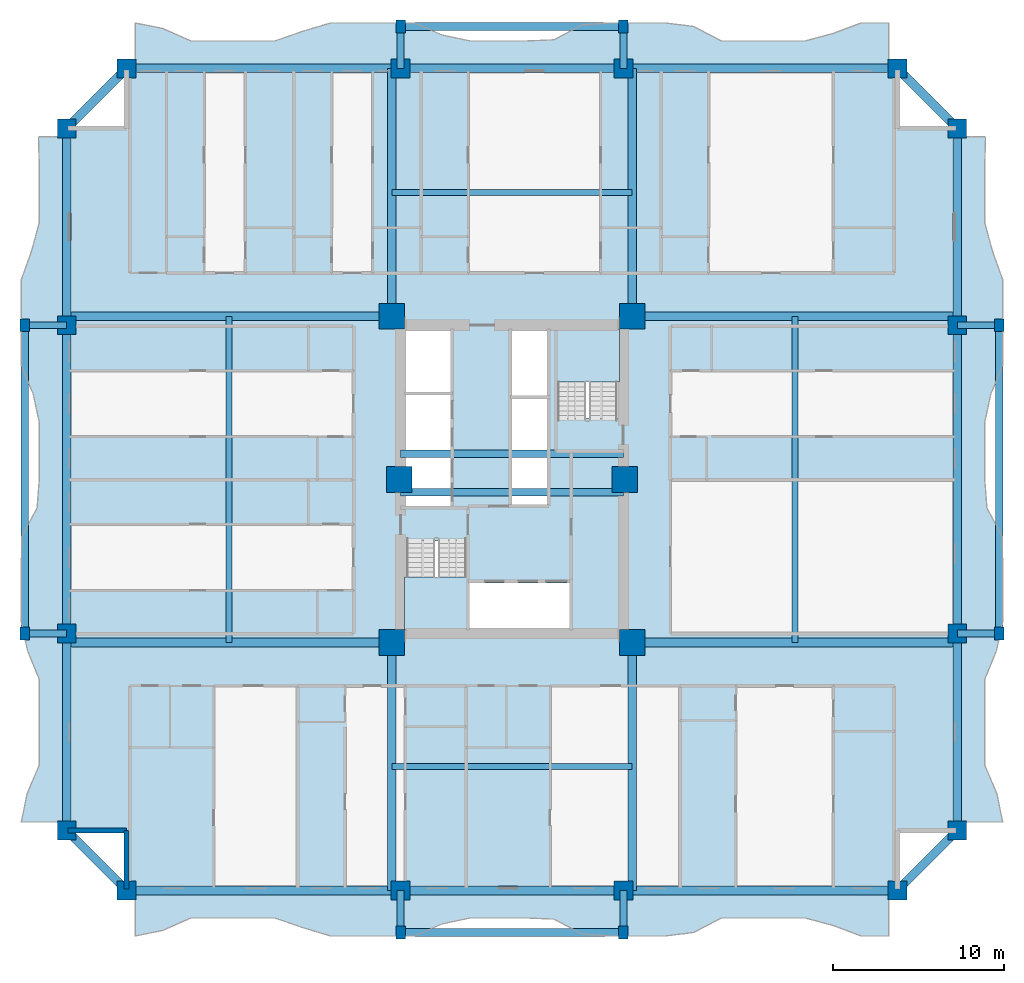
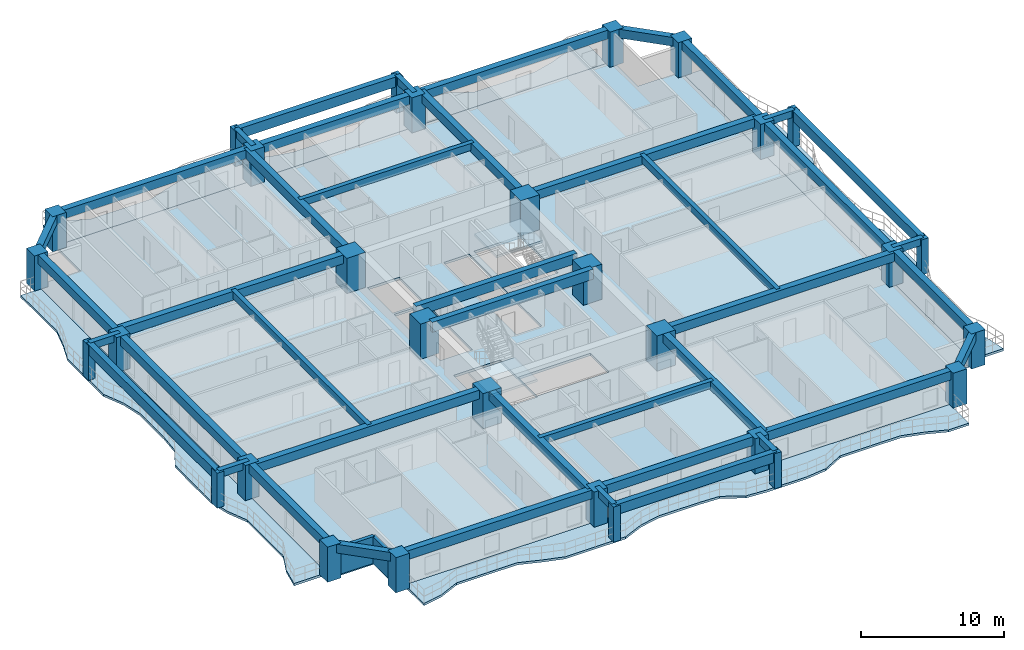
# One storey, part 1 of 15: 42 beams, 30 columns, 7 slabs, 2 walls, 2 elements without a shape of their own.
"""IFC4 building model written with IfcOpenShell, lengths in metres."""

from ifc_helpers import new_model, si_unit, direction, frame, frame_2d, origin, origin_2d, place, context, subcontext, project, spatial, polyline, rectangle, outline, extrude, source, transform, mapped, material, layer, layer_set, material_profile, profile_set, type_object, element, aggregate, save


model = new_model("IFC4")

# Units and contexts
model_context = context("Model", 3, precision=1e-05, world=origin(), true_north=direction((0.0, 1.0)))
body_context = subcontext(model_context, "Body", "Model", "MODEL_VIEW")
ifc_project = project(units=[si_unit("LENGTHUNIT", "METRE"), si_unit("AREAUNIT", "SQUARE_METRE"), si_unit("VOLUMEUNIT", "CUBIC_METRE"), si_unit("PLANEANGLEUNIT", "RADIAN"), si_unit("MASSUNIT", "GRAM", prefix="KILO")], contexts=[model_context])

# Site, building, storey
site_placement = place(None, origin())
site = spatial("IfcSite", under=ifc_project, at=site_placement, CompositionType="ELEMENT")
building_placement = place(site_placement, origin())
building = spatial("IfcBuilding", under=site, at=building_placement, Name="Saelheon Loggia Tower", CompositionType="ELEMENT")
storey_placement = place(building_placement, frame((0.0, 0.0, 49.39990234375)))
storey = spatial("IfcBuildingStorey", under=building, at=storey_placement, Name="L15", CompositionType="ELEMENT", Elevation=49.39990234375)

# Columns
ifc_material_1 = material(Name="Concrete C60/75", Category="concrete")
ifc_material_profile_1 = material_profile(ifc_material_1, rectangle(XDim=1.5, YDim=1.5, at=origin_2d()), Name="RC-1500x1500")
ifc_profile_set_1 = profile_set([ifc_material_profile_1], Name="Concrete C60/75")
column_type_1 = type_object("IfcColumnType", Name="Col_Core_RC1500", PredefinedType="COLUMN", material=ifc_profile_set_1)
shared_shape_1 = source(origin(), body_context, "Body", "SweptSolid", [
    extrude(rectangle(XDim=1.5, YDim=1.5, at=origin_2d()), origin(), (0.0, 0.0, 1.0), 3.0),
])
for number, where, z_axis, x_axis, name in (
    (1, (30.97998046875, 17.47998046875, 0.0), (0.0, 0.0, 1.0), (1.0, 0.0, 0.0), "L15 Core Column CR-SW"),
    (2, (45.02001953125, 17.47998046875, 0.0), (0.0, 0.0, 1.0), (1.0, 0.0, 0.0), "L15 Core Column CR-SE"),
    (3, (30.97998046875, 36.52001953125, 0.0), (0.0, 0.0, 1.0), (1.0, 0.0, 0.0), "L15 Core Column CR-NW"),
    (4, (45.02001953125, 36.52001953125, 0.0), (0.0, 0.0, 1.0), (1.0, 0.0, 0.0), "L15 Core Column CR-NE"),
    (5, (31.419921875, 27.0, 0.0), (0.0, 0.0, 1.0), (1.0, 0.0, 0.0), "L15 Core Column CR-MW"),
    (6, (44.580078125, 27.0, 0.0), (0.0, 0.0, 1.0), (1.0, 0.0, 0.0), "L15 Core Column CR-ME"),
):
    element("IfcColumn", number, at=place(storey_placement, frame(where, z_axis=z_axis, x_axis=x_axis)), inside=storey, type_object=column_type_1, Name=name, PredefinedType="COLUMN", context=body_context, shape_type="MappedRepresentation", body=[
        mapped(shared_shape_1, transform((0.0, 0.0, 0.0), scale=1.0)),
    ])
ifc_material_2 = material(Name="Concrete C50/60", Category="concrete")
ifc_material_profile_2 = material_profile(ifc_material_2, rectangle(XDim=1.10009765625, YDim=1.10009765625, at=origin_2d()), Name="RC-1100x1100")
ifc_profile_set_2 = profile_set([ifc_material_profile_2], Name="Concrete C50/60")
column_type_2 = type_object("IfcColumnType", Name="Col_PerimExt_RC1100", PredefinedType="COLUMN", material=ifc_profile_set_2)
shared_shape_2 = source(origin(), body_context, "Body", "SweptSolid", [
    extrude(rectangle(XDim=1.10009765625, YDim=1.10009765625, at=origin_2d()), origin(), (0.0, 0.0, 1.0), 3.0),
])
for number, where, z_axis, x_axis, name in (
    (7, (15.5, 3.0, 0.0), (0.0, 0.0, 1.0), (1.0, 0.0, 0.0), "L15 Perimeter Column TP-S1"),
    (8, (31.5, 3.0, 0.0), (0.0, 0.0, 1.0), (1.0, 0.0, 0.0), "L15 Perimeter Column TP-SA"),
    (9, (44.5, 3.0, 0.0), (0.0, 0.0, 1.0), (1.0, 0.0, 0.0), "L15 Perimeter Column TP-SB"),
    (10, (60.5, 3.0, 0.0), (0.0, 0.0, 1.0), (1.0, 0.0, 0.0), "L15 Perimeter Column TP-S2"),
    (11, (64.0, 6.5, 0.0), (0.0, 0.0, 1.0), (1.0, 0.0, 0.0), "L15 Perimeter Column TP-E1"),
    (12, (64.0, 18.0, 0.0), (0.0, 0.0, 1.0), (1.0, 0.0, 0.0), "L15 Perimeter Column TP-EA"),
    (13, (64.0, 36.0, 0.0), (0.0, 0.0, 1.0), (1.0, 0.0, 0.0), "L15 Perimeter Column TP-EB"),
    (14, (64.0, 47.5, 0.0), (0.0, 0.0, 1.0), (1.0, 0.0, 0.0), "L15 Perimeter Column TP-E2"),
    (15, (60.5, 51.0, 0.0), (0.0, 0.0, 1.0), (1.0, 0.0, 0.0), "L15 Perimeter Column TP-N2"),
    (16, (44.5, 51.0, 0.0), (0.0, 0.0, 1.0), (1.0, 0.0, 0.0), "L15 Perimeter Column TP-NB"),
    (17, (31.5, 51.0, 0.0), (0.0, 0.0, 1.0), (1.0, 0.0, 0.0), "L15 Perimeter Column TP-NA"),
    (18, (15.5, 51.0, 0.0), (0.0, 0.0, 1.0), (1.0, 0.0, 0.0), "L15 Perimeter Column TP-N1"),
    (19, (12.0, 47.5, 0.0), (0.0, 0.0, 1.0), (1.0, 0.0, 0.0), "L15 Perimeter Column TP-W2"),
    (20, (12.0, 36.0, 0.0), (0.0, 0.0, 1.0), (1.0, 0.0, 0.0), "L15 Perimeter Column TP-WB"),
    (21, (12.0, 18.0, 0.0), (0.0, 0.0, 1.0), (1.0, 0.0, 0.0), "L15 Perimeter Column TP-WA"),
    (22, (12.0, 6.5, 0.0), (0.0, 0.0, 1.0), (1.0, 0.0, 0.0), "L15 Perimeter Column TP-W1"),
):
    element("IfcColumn", number, at=place(storey_placement, frame(where, z_axis=z_axis, x_axis=x_axis)), inside=storey, type_object=column_type_2, Name=name, PredefinedType="COLUMN", context=body_context, shape_type="MappedRepresentation", body=[
        mapped(shared_shape_2, transform((0.0, 0.0, 0.0), scale=1.0)),
    ])
ifc_material_3 = material(Name="Precast Concrete C45/55", Category="concrete")
ifc_material_profile_3 = material_profile(ifc_material_3, rectangle(XDim=0.550048828125, YDim=0.75, at=origin_2d()), Name="RC-550x750")
ifc_profile_set_3 = profile_set([ifc_material_profile_3], Name="Precast Concrete C45/55")
column_type_3 = type_object("IfcColumnType", Name="Col_Loggia_Pilaster_750", PredefinedType="PILASTER", material=ifc_profile_set_3)
shared_shape_3 = source(origin(), body_context, "Body", "SweptSolid", [
    extrude(rectangle(XDim=0.550048828125, YDim=0.75, at=origin_2d()), origin(), (0.0, 0.0, 1.0), 3.0),
])
for number, where, z_axis, x_axis, name in (
    (23, (31.5, 0.550048828125, 0.0), (0.0, 0.0, 1.0), (1.0, 0.0, 0.0), "L15 Loggia Frame Pilaster LP-S1"),
    (24, (44.5, 0.550048828125, 0.0), (0.0, 0.0, 1.0), (1.0, 0.0, 0.0), "L15 Loggia Frame Pilaster LP-S2"),
    (25, (31.5, 53.449951171875, 0.0), (0.0, 0.0, 1.0), (1.0, 0.0, 0.0), "L15 Loggia Frame Pilaster LP-N1"),
    (26, (44.5, 53.449951171875, 0.0), (0.0, 0.0, 1.0), (1.0, 0.0, 0.0), "L15 Loggia Frame Pilaster LP-N2"),
    (27, (66.449951171875, 18.0, 0.0), (0.0, 0.0, 1.0), (1.0, 0.0, 0.0), "L15 Loggia Frame Pilaster LP-E1"),
    (28, (66.449951171875, 36.0, 0.0), (0.0, 0.0, 1.0), (1.0, 0.0, 0.0), "L15 Loggia Frame Pilaster LP-E2"),
    (29, (9.550048828125, 18.0, 0.0), (0.0, 0.0, 1.0), (1.0, 0.0, 0.0), "L15 Loggia Frame Pilaster LP-W1"),
    (30, (9.550048828125, 36.0, 0.0), (0.0, 0.0, 1.0), (1.0, 0.0, 0.0), "L15 Loggia Frame Pilaster LP-W2"),
):
    element("IfcColumn", number, at=place(storey_placement, frame(where, z_axis=z_axis, x_axis=x_axis)), inside=storey, type_object=column_type_3, Name=name, PredefinedType="PILASTER", context=body_context, shape_type="MappedRepresentation", body=[
        mapped(shared_shape_3, transform((0.0, 0.0, 0.0), scale=1.0)),
    ])

# Beams
ifc_material_profile_4 = material_profile(ifc_material_2, rectangle(XDim=0.449951171875, YDim=0.85009765625, at=origin_2d()), Name="RC-450x850")
ifc_profile_set_4 = profile_set([ifc_material_profile_4], Name="Concrete C50/60")
beam_type_1 = type_object("IfcBeamType", Name="Beam_CoreLintel_RC450x850", PredefinedType="LINTEL", material=ifc_profile_set_4)
shared_shape_4 = source(origin(), body_context, "Body", "SweptSolid", [
    extrude(rectangle(XDim=0.449951171875, YDim=0.85009765625, at=origin_2d()), origin(), (0.0, 0.0, 1.0), 13.0),
])
for number, where, z_axis, x_axis, name in (
    (31, (31.5, 26.25, 2.5751953125), (1.0, 0.0, 0.0), (0.0, 1.0, 0.0), "L15 Core Coupling Lintel 1"),
    (32, (31.5, 28.5, 2.5751953125), (1.0, 0.0, 0.0), (0.0, 1.0, 0.0), "L15 Core Coupling Lintel 2"),
):
    element("IfcBeam", number, at=place(storey_placement, frame(where, z_axis=z_axis, x_axis=x_axis)), inside=storey, type_object=beam_type_1, Name=name, PredefinedType="LINTEL", context=body_context, shape_type="MappedRepresentation", body=[
        mapped(shared_shape_4, transform((0.0, 0.0, 0.0), scale=1.0)),
    ])
ifc_material_profile_5 = material_profile(ifc_material_3, rectangle(XDim=0.449951171875, YDim=0.85009765625, at=origin_2d()), Name="RC-450x850")
ifc_profile_set_5 = profile_set([ifc_material_profile_5], Name="Precast Concrete C45/55")
beam_type_2 = type_object("IfcBeamType", Name="Beam_LoggiaSpandrel_RC450x850", PredefinedType="SPANDREL", material=ifc_profile_set_5)
for number, where, z_axis, x_axis, name in (
    (33, (31.5, 0.550048828125, 2.5751953125), (1.0, 0.0, 0.0), (0.0, 1.0, 0.0), "L15 Loggia Spandrel Beam S"),
    (34, (31.5, 53.449951171875, 2.5751953125), (1.0, 0.0, 0.0), (0.0, 1.0, 0.0), "L15 Loggia Spandrel Beam N"),
):
    element("IfcBeam", number, at=place(storey_placement, frame(where, z_axis=z_axis, x_axis=x_axis)), inside=storey, type_object=beam_type_2, Name=name, PredefinedType="SPANDREL", context=body_context, shape_type="MappedRepresentation", body=[
        mapped(shared_shape_4, transform((0.0, 0.0, 0.0), scale=1.0)),
    ])
ifc_material_4 = material(Name="Concrete C45/55", Category="concrete")
ifc_material_profile_6 = material_profile(ifc_material_4, rectangle(XDim=0.5, YDim=0.75, at=origin_2d()), Name="RC-500x750")
ifc_profile_set_6 = profile_set([ifc_material_profile_6], Name="Concrete C45/55")
beam_type_3 = type_object("IfcBeamType", Name="Beam_FloorGirder_RC500x750", PredefinedType="BEAM", material=ifc_profile_set_6)
shared_shape_5 = source(origin(), body_context, "Body", "SweptSolid", [
    extrude(rectangle(XDim=0.5, YDim=0.75, at=origin_2d()), origin(), (0.0, 0.0, 1.0), 14.47998046875),
])
for number, where, z_axis, x_axis, name in (
    (35, (30.97998046875, 17.47998046875, 2.625), (0.0, -1.0, 0.0), (1.0, 0.0, 0.0), "L15 Radial Floor Girder RAD-SW-S"),
    (36, (45.02001953125, 17.47998046875, 2.625), (0.0, -1.0, 0.0), (1.0, 0.0, 0.0), "L15 Radial Floor Girder RAD-SE-S"),
    (37, (30.97998046875, 36.52001953125, 2.625), (0.0, 1.0, 0.0), (-1.0, 0.0, 0.0), "L15 Radial Floor Girder RAD-NW-N"),
    (38, (45.02001953125, 36.52001953125, 2.625), (0.0, 1.0, 0.0), (-1.0, 0.0, 0.0), "L15 Radial Floor Girder RAD-NE-N"),
):
    element("IfcBeam", number, at=place(storey_placement, frame(where, z_axis=z_axis, x_axis=x_axis)), inside=storey, type_object=beam_type_3, Name=name, PredefinedType="BEAM", context=body_context, shape_type="MappedRepresentation", body=[
        mapped(shared_shape_5, transform((0.0, 0.0, 0.0), scale=1.0)),
    ])
ifc_material_profile_7 = material_profile(ifc_material_4, rectangle(XDim=0.5, YDim=0.75, at=origin_2d()), Name="RC-500x750")
ifc_profile_set_7 = profile_set([ifc_material_profile_7], Name="Concrete C45/55")
beam_type_4 = type_object("IfcBeamType", Name="Beam_PerimGirder_RC500x750", PredefinedType="BEAM", material=ifc_profile_set_7)
shared_shape_6 = source(origin(), body_context, "Body", "SweptSolid", [
    extrude(rectangle(XDim=0.5, YDim=0.75, at=origin_2d()), origin(), (0.0, 0.0, 1.0), 16.0),
])
for number, where, z_axis, x_axis, name in (
    (39, (15.5, 3.0, 2.625), (1.0, 0.0, 0.0), (0.0, 1.0, 0.0), "L15 Perimeter Frame Girder 01"),
    (40, (44.5, 3.0, 2.625), (1.0, 0.0, 0.0), (0.0, 1.0, 0.0), "L15 Perimeter Frame Girder 03"),
    (41, (60.5, 51.0, 2.625), (-1.0, 0.0, 0.0), (0.0, -1.0, 0.0), "L15 Perimeter Frame Girder 09"),
    (42, (31.5, 51.0, 2.625), (-1.0, 0.0, 0.0), (0.0, -1.0, 0.0), "L15 Perimeter Frame Girder 11"),
):
    element("IfcBeam", number, at=place(storey_placement, frame(where, z_axis=z_axis, x_axis=x_axis)), inside=storey, type_object=beam_type_4, Name=name, PredefinedType="BEAM", context=body_context, shape_type="MappedRepresentation", body=[
        mapped(shared_shape_6, transform((0.0, 0.0, 0.0), scale=1.0)),
    ])
shared_shape_7 = source(origin(), body_context, "Body", "SweptSolid", [
    extrude(rectangle(XDim=0.5, YDim=0.75, at=origin_2d()), origin(), (0.0, 0.0, 1.0), 13.0),
])
for number, where, z_axis, x_axis, name in (
    (43, (31.5, 3.0, 2.625), (1.0, 0.0, 0.0), (0.0, 1.0, 0.0), "L15 Perimeter Frame Girder 02"),
    (44, (44.5, 51.0, 2.625), (-1.0, 0.0, 0.0), (0.0, -1.0, 0.0), "L15 Perimeter Frame Girder 10"),
):
    element("IfcBeam", number, at=place(storey_placement, frame(where, z_axis=z_axis, x_axis=x_axis)), inside=storey, type_object=beam_type_4, Name=name, PredefinedType="BEAM", context=body_context, shape_type="MappedRepresentation", body=[
        mapped(shared_shape_7, transform((0.0, 0.0, 0.0), scale=1.0)),
    ])
shared_shape_8 = source(origin(), body_context, "Body", "SweptSolid", [
    extrude(rectangle(XDim=0.5, YDim=0.75, at=origin_2d()), origin(), (0.0, 0.0, 1.0), 4.94970703125),
])
for number, where, z_axis, x_axis, name in (
    (45, (60.5, 3.0, 2.625), (0.707106781187, 0.707106781187, 0.0), (-0.707106781187, 0.707106781187, 0.0), "L15 Perimeter Frame Girder 04"),
    (46, (64.0, 47.5, 2.625), (-0.707106781187, 0.707106781187, 0.0), (-0.707106781187, -0.707106781187, 0.0), "L15 Perimeter Frame Girder 08"),
    (47, (15.5, 51.0, 2.625), (-0.707106781187, -0.707106781187, 0.0), (0.707106781187, -0.707106781187, 0.0), "L15 Perimeter Frame Girder 12"),
    (48, (12.0, 6.5, 2.625), (0.707106781187, -0.707106781187, 0.0), (0.707106781187, 0.707106781187, 0.0), "L15 Perimeter Frame Girder 16"),
):
    element("IfcBeam", number, at=place(storey_placement, frame(where, z_axis=z_axis, x_axis=x_axis)), inside=storey, type_object=beam_type_4, Name=name, PredefinedType="BEAM", context=body_context, shape_type="MappedRepresentation", body=[
        mapped(shared_shape_8, transform((0.0, 0.0, 0.0), scale=1.0)),
    ])
shared_shape_9 = source(origin(), body_context, "Body", "SweptSolid", [
    extrude(rectangle(XDim=0.5, YDim=0.75, at=origin_2d()), origin(), (0.0, 0.0, 1.0), 11.5),
])
for number, where, z_axis, x_axis, name in (
    (49, (64.0, 6.5, 2.625), (0.0, 1.0, 0.0), (-1.0, 0.0, 0.0), "L15 Perimeter Frame Girder 05"),
    (50, (64.0, 36.0, 2.625), (0.0, 1.0, 0.0), (-1.0, 0.0, 0.0), "L15 Perimeter Frame Girder 07"),
    (51, (12.0, 47.5, 2.625), (0.0, -1.0, 0.0), (1.0, 0.0, 0.0), "L15 Perimeter Frame Girder 13"),
    (52, (12.0, 18.0, 2.625), (0.0, -1.0, 0.0), (1.0, 0.0, 0.0), "L15 Perimeter Frame Girder 15"),
):
    element("IfcBeam", number, at=place(storey_placement, frame(where, z_axis=z_axis, x_axis=x_axis)), inside=storey, type_object=beam_type_4, Name=name, PredefinedType="BEAM", context=body_context, shape_type="MappedRepresentation", body=[
        mapped(shared_shape_9, transform((0.0, 0.0, 0.0), scale=1.0)),
    ])
shared_shape_10 = source(origin(), body_context, "Body", "SweptSolid", [
    extrude(rectangle(XDim=0.5, YDim=0.75, at=origin_2d()), origin(), (0.0, 0.0, 1.0), 18.0),
])
for number, where, z_axis, x_axis, name in (
    (53, (64.0, 18.0, 2.625), (0.0, 1.0, 0.0), (-1.0, 0.0, 0.0), "L15 Perimeter Frame Girder 06"),
    (54, (12.0, 36.0, 2.625), (0.0, -1.0, 0.0), (1.0, 0.0, 0.0), "L15 Perimeter Frame Girder 14"),
):
    element("IfcBeam", number, at=place(storey_placement, frame(where, z_axis=z_axis, x_axis=x_axis)), inside=storey, type_object=beam_type_4, Name=name, PredefinedType="BEAM", context=body_context, shape_type="MappedRepresentation", body=[
        mapped(shared_shape_10, transform((0.0, 0.0, 0.0), scale=1.0)),
    ])
shared_shape_11 = source(origin(), body_context, "Body", "SweptSolid", [
    extrude(rectangle(XDim=0.5, YDim=0.75, at=origin_2d()), origin(), (0.0, 0.0, 1.0), 18.97998046875),
])
for number, where, z_axis, x_axis, name in (
    (55, (30.97998046875, 17.47998046875, 2.625), (-1.0, 0.0, 0.0), (0.0, -1.0, 0.0), "L15 Radial Floor Girder RAD-SW-W"),
    (56, (30.97998046875, 36.52001953125, 2.625), (-1.0, 0.0, 0.0), (0.0, -1.0, 0.0), "L15 Radial Floor Girder RAD-NW-W"),
    (57, (45.02001953125, 17.47998046875, 2.625), (1.0, 0.0, 0.0), (0.0, 1.0, 0.0), "L15 Radial Floor Girder RAD-SE-E"),
    (58, (45.02001953125, 36.52001953125, 2.625), (1.0, 0.0, 0.0), (0.0, 1.0, 0.0), "L15 Radial Floor Girder RAD-NE-E"),
):
    element("IfcBeam", number, at=place(storey_placement, frame(where, z_axis=z_axis, x_axis=x_axis)), inside=storey, type_object=beam_type_3, Name=name, PredefinedType="BEAM", context=body_context, shape_type="MappedRepresentation", body=[
        mapped(shared_shape_11, transform((0.0, 0.0, 0.0), scale=1.0)),
    ])
ifc_material_profile_8 = material_profile(ifc_material_3, rectangle(XDim=0.39990234375, YDim=0.60009765625, at=origin_2d()), Name="RC-400x600")
ifc_profile_set_8 = profile_set([ifc_material_profile_8], Name="Precast Concrete C45/55")
beam_type_5 = type_object("IfcBeamType", Name="Beam_LoggiaTie_RC400x600", PredefinedType="BEAM", material=ifc_profile_set_8)
shared_shape_12 = source(origin(), body_context, "Body", "SweptSolid", [
    extrude(rectangle(XDim=0.39990234375, YDim=0.60009765625, at=origin_2d()), origin(), (0.0, 0.0, 1.0), 2.449951171875),
])
for number, where, z_axis, x_axis, name in (
    (59, (31.5, 3.0, 2.7001953125), (0.0, -1.0, 0.0), (1.0, 0.0, 0.0), "L15 Loggia Frame Tie Beam LP-S1"),
    (60, (44.5, 3.0, 2.7001953125), (0.0, -1.0, 0.0), (1.0, 0.0, 0.0), "L15 Loggia Frame Tie Beam LP-S2"),
    (61, (31.5, 51.0, 2.7001953125), (0.0, 1.0, 0.0), (-1.0, 0.0, 0.0), "L15 Loggia Frame Tie Beam LP-N1"),
    (62, (44.5, 51.0, 2.7001953125), (0.0, 1.0, 0.0), (-1.0, 0.0, 0.0), "L15 Loggia Frame Tie Beam LP-N2"),
    (63, (64.0, 18.0, 2.7001953125), (1.0, 0.0, 0.0), (0.0, 1.0, 0.0), "L15 Loggia Frame Tie Beam LP-E1"),
    (64, (64.0, 36.0, 2.7001953125), (1.0, 0.0, 0.0), (0.0, 1.0, 0.0), "L15 Loggia Frame Tie Beam LP-E2"),
    (65, (12.0, 18.0, 2.7001953125), (-1.0, 0.0, 0.0), (0.0, -1.0, 0.0), "L15 Loggia Frame Tie Beam LP-W1"),
    (66, (12.0, 36.0, 2.7001953125), (-1.0, 0.0, 0.0), (0.0, -1.0, 0.0), "L15 Loggia Frame Tie Beam LP-W2"),
):
    element("IfcBeam", number, at=place(storey_placement, frame(where, z_axis=z_axis, x_axis=x_axis)), inside=storey, type_object=beam_type_5, Name=name, PredefinedType="BEAM", context=body_context, shape_type="MappedRepresentation", body=[
        mapped(shared_shape_12, transform((0.0, 0.0, 0.0), scale=1.0)),
    ])
shared_shape_13 = source(origin(), body_context, "Body", "SweptSolid", [
    extrude(rectangle(XDim=0.449951171875, YDim=0.85009765625, at=origin_2d()), origin(), (0.0, 0.0, 1.0), 18.0),
])
for number, where, z_axis, x_axis, name in (
    (67, (66.449951171875, 18.0, 2.5751953125), (0.0, 1.0, 0.0), (-1.0, 0.0, 0.0), "L15 Loggia Spandrel Beam E"),
    (68, (9.550048828125, 18.0, 2.5751953125), (0.0, 1.0, 0.0), (-1.0, 0.0, 0.0), "L15 Loggia Spandrel Beam W"),
):
    element("IfcBeam", number, at=place(storey_placement, frame(where, z_axis=z_axis, x_axis=x_axis)), inside=storey, type_object=beam_type_2, Name=name, PredefinedType="SPANDREL", context=body_context, shape_type="MappedRepresentation", body=[
        mapped(shared_shape_13, transform((0.0, 0.0, 0.0), scale=1.0)),
    ])
ifc_material_profile_9 = material_profile(ifc_material_4, rectangle(XDim=0.35009765625, YDim=0.60009765625, at=origin_2d()), Name="RC-350x600")
ifc_profile_set_9 = profile_set([ifc_material_profile_9], Name="Concrete C45/55")
beam_type_6 = type_object("IfcBeamType", Name="Beam_AmenityJoist_RC350x600", PredefinedType="JOIST", material=ifc_profile_set_9)
shared_shape_14 = source(origin(), body_context, "Body", "SweptSolid", [
    extrude(rectangle(XDim=0.35009765625, YDim=0.60009765625, at=origin_2d()), origin(), (0.0, 0.0, 1.0), 14.0400390625),
])
for number, where, z_axis, x_axis, name in (
    (69, (30.97998046875, 10.239990234375, 2.7001953125), (1.0, 0.0, 0.0), (0.0, 1.0, 0.0), "L15 South Floor Joist"),
    (70, (30.97998046875, 43.760009765625, 2.7001953125), (1.0, 0.0, 0.0), (0.0, 1.0, 0.0), "L15 North Floor Joist"),
):
    element("IfcBeam", number, at=place(storey_placement, frame(where, z_axis=z_axis, x_axis=x_axis)), inside=storey, type_object=beam_type_6, Name=name, PredefinedType="JOIST", context=body_context, shape_type="MappedRepresentation", body=[
        mapped(shared_shape_14, transform((0.0, 0.0, 0.0), scale=1.0)),
    ])
shared_shape_15 = source(origin(), body_context, "Body", "SweptSolid", [
    extrude(rectangle(XDim=0.35009765625, YDim=0.60009765625, at=origin_2d()), origin(), (0.0, 0.0, 1.0), 19.0400390625),
])
for number, where, z_axis, x_axis, name in (
    (71, (21.489990234375, 17.47998046875, 2.7001953125), (0.0, 1.0, 0.0), (-1.0, 0.0, 0.0), "L15 West Floor Joist"),
    (72, (54.510009765625, 17.47998046875, 2.7001953125), (0.0, 1.0, 0.0), (-1.0, 0.0, 0.0), "L15 East Floor Joist"),
):
    element("IfcBeam", number, at=place(storey_placement, frame(where, z_axis=z_axis, x_axis=x_axis)), inside=storey, type_object=beam_type_6, Name=name, PredefinedType="JOIST", context=body_context, shape_type="MappedRepresentation", body=[
        mapped(shared_shape_15, transform((0.0, 0.0, 0.0), scale=1.0)),
    ])

# Slabs
ifc_layer_1 = layer(ifc_material_3, 0.18994140625)
ifc_layer_set_1 = layer_set([ifc_layer_1], Name="Precast Concrete C45/55")
slab_type_1 = type_object("IfcSlabType", Name="Slab_Loggia_Ext_190", PredefinedType="FLOOR", material=ifc_layer_set_1)
slab_1_placement = place(storey_placement, frame((0.0, 0.0, -0.18994140625)))
element("IfcSlab", 73, at=slab_1_placement, inside=storey, type_object=slab_type_1, Name="L15 Loggia Balcony Slab S", PredefinedType="FLOOR", context=body_context, shape_type="SweptSolid", body=[
    extrude(outline(polyline([(16.0, 0.35009765625), (17.629638671875, 0.67626953125), (19.25927734375, 1.39990234375), (20.888916015625, 1.39990234375), (22.5185546875, 1.39990234375), (24.148193359375, 1.39990234375), (25.77783203125, 0.8349609375), (27.407470703125, 0.35009765625), (29.037109375, 0.35009765625), (30.666748046875, 0.35009765625), (32.29638671875, 0.35009765625), (33.92578125, 1.0537109375), (35.5556640625, 1.39990234375), (37.185302734375, 1.39990234375), (38.814697265625, 1.39990234375), (40.4443359375, 1.33154296875), (42.07421875, 0.4619140625), (43.70361328125, 0.35009765625), (45.333251953125, 0.35009765625), (46.962890625, 0.35009765625), (48.592529296875, 0.549560546875), (50.22216796875, 1.39990234375), (51.851806640625, 1.39990234375), (53.4814453125, 1.39990234375), (55.111083984375, 1.39990234375), (56.74072265625, 0.963623046875), (58.370361328125, 0.35009765625), (60.0, 0.35009765625), (60.0, 3.0), (16.0, 3.0), (16.0, 0.35009765625)])), origin(), (0.0, 0.0, 1.0), 0.18994140625),
])
slab_2_placement = place(storey_placement, frame((0.0, 0.0, -0.18994140625)))
element("IfcSlab", 74, at=slab_2_placement, inside=storey, type_object=slab_type_1, Name="L15 Loggia Balcony Slab N", PredefinedType="FLOOR", context=body_context, shape_type="SweptSolid", body=[
    extrude(outline(polyline([(16.0, 51.0), (60.0, 51.0), (60.0, 53.64990234375), (58.370361328125, 53.64990234375), (56.74072265625, 53.036376953125), (55.111083984375, 52.60009765625), (53.4814453125, 52.60009765625), (51.851806640625, 52.60009765625), (50.22216796875, 52.60009765625), (48.592529296875, 53.450439453125), (46.962890625, 53.64990234375), (45.333251953125, 53.64990234375), (43.70361328125, 53.64990234375), (42.07421875, 53.5380859375), (40.4443359375, 52.66845703125), (38.814697265625, 52.60009765625), (37.185302734375, 52.60009765625), (35.5556640625, 52.60009765625), (33.92578125, 52.9462890625), (32.29638671875, 53.64990234375), (30.666748046875, 53.64990234375), (29.037109375, 53.64990234375), (27.407470703125, 53.64990234375), (25.77783203125, 53.1650390625), (24.148193359375, 52.60009765625), (22.5185546875, 52.60009765625), (20.888916015625, 52.60009765625), (19.25927734375, 52.60009765625), (17.629638671875, 53.32373046875), (16.0, 53.64990234375), (16.0, 51.0)])), origin(), (0.0, 0.0, 1.0), 0.18994140625),
])
slab_3_placement = place(storey_placement, frame((0.0, 0.0, -0.18994140625)))
element("IfcSlab", 75, at=slab_3_placement, inside=storey, type_object=slab_type_1, Name="L15 Loggia Balcony Slab E", PredefinedType="FLOOR", context=body_context, shape_type="SweptSolid", body=[
    extrude(outline(polyline([(64.0, 7.0), (66.64990234375, 7.0), (66.3037109375, 8.666748046875), (65.60009765625, 10.333251953125), (65.60009765625, 12.0), (65.60009765625, 13.666748046875), (65.60009765625, 15.333251953125), (66.28564453125, 17.0), (66.64990234375, 18.666748046875), (66.64990234375, 20.333251953125), (66.64990234375, 22.0), (66.6201171875, 23.666748046875), (65.731201171875, 25.333251953125), (65.60009765625, 27.0), (65.60009765625, 28.666748046875), (65.60009765625, 30.333251953125), (65.960205078125, 32.0), (66.64990234375, 33.666748046875), (66.64990234375, 35.333251953125), (66.64990234375, 37.0), (66.64990234375, 38.666748046875), (66.05029296875, 40.333251953125), (65.60009765625, 42.0), (65.60009765625, 43.666748046875), (65.60009765625, 45.333251953125), (65.64599609375, 47.0), (64.0, 47.0), (64.0, 7.0)])), origin(), (0.0, 0.0, 1.0), 0.18994140625),
])
slab_4_placement = place(storey_placement, frame((0.0, 0.0, -0.18994140625)))
element("IfcSlab", 76, at=slab_4_placement, inside=storey, type_object=slab_type_1, Name="L15 Loggia Balcony Slab W", PredefinedType="FLOOR", context=body_context, shape_type="SweptSolid", body=[
    extrude(outline(polyline([(12.0, 7.0), (12.0, 47.0), (10.35400390625, 47.0), (10.39990234375, 45.333251953125), (10.39990234375, 43.666748046875), (10.39990234375, 42.0), (9.94970703125, 40.333251953125), (9.35009765625, 38.666748046875), (9.35009765625, 37.0), (9.35009765625, 35.333251953125), (9.35009765625, 33.666748046875), (10.039794921875, 32.0), (10.39990234375, 30.333251953125), (10.39990234375, 28.666748046875), (10.39990234375, 27.0), (10.268798828125, 25.333251953125), (9.3798828125, 23.666748046875), (9.35009765625, 22.0), (9.35009765625, 20.333251953125), (9.35009765625, 18.666748046875), (9.71435546875, 17.0), (10.39990234375, 15.333251953125), (10.39990234375, 13.666748046875), (10.39990234375, 12.0), (10.39990234375, 10.333251953125), (9.6962890625, 8.666748046875), (9.35009765625, 7.0), (12.0, 7.0)])), origin(), (0.0, 0.0, 1.0), 0.18994140625),
])

# Stair, slab
ifc_material_5 = material(Name="Concrete C40/50", Category="concrete")
stair_type = type_object("IfcStairType", Name="Stair_Escape_Core", PredefinedType="HALF_TURN_STAIR", material=ifc_material_5)
stair_1_placement = place(storey_placement, origin())
stair_1 = element("IfcStair", 77, at=stair_1_placement, inside=storey, type_object=stair_type, Name="L15 Special Escape Stair ST1", PredefinedType="HALF_TURN_STAIR")
ifc_layer_2 = layer(ifc_material_5, 0.199951171875)
ifc_layer_set_2 = layer_set([ifc_layer_2], Name="Concrete C40/50")
slab_type_2 = type_object("IfcSlabType", Name="Slab_StairLanding_ST1", PredefinedType="LANDING", material=ifc_layer_set_2)
slab_5_placement = place(storey_placement, frame((0.0, 0.0, 1.300048828125)))
slab_5 = element("IfcSlab", 78, at=slab_5_placement, type_object=slab_type_2, Name="ST1 landing 1", PredefinedType="LANDING", context=body_context, shape_type="SweptSolid", body=[
    extrude(outline(polyline([(31.7099609375, 21.31005859375), (31.7099609375, 18.2099609375), (35.469970703125, 18.2099609375), (35.469970703125, 21.31005859375), (31.7099609375, 21.31005859375)])), origin(), (0.0, 0.0, 1.0), 0.199951171875),
])
aggregate(stair_1, [slab_5])

stair_2_placement = place(storey_placement, origin())
stair_2 = element("IfcStair", 79, at=stair_2_placement, inside=storey, type_object=stair_type, Name="L15 Special Escape Stair ST2", PredefinedType="HALF_TURN_STAIR")
ifc_layer_3 = layer(ifc_material_5, 0.199951171875)
ifc_layer_set_3 = layer_set([ifc_layer_3], Name="Concrete C40/50")
slab_type_3 = type_object("IfcSlabType", Name="Slab_StairLanding_ST2", PredefinedType="LANDING", material=ifc_layer_set_3)
slab_6_placement = place(storey_placement, frame((0.0, 0.0, 1.300048828125)))
slab_6 = element("IfcSlab", 80, at=slab_6_placement, type_object=slab_type_3, Name="ST2 landing 1", PredefinedType="LANDING", context=body_context, shape_type="SweptSolid", body=[
    extrude(outline(polyline([(44.2900390625, 32.68994140625), (44.2900390625, 35.7900390625), (40.530029296875, 35.7900390625), (40.530029296875, 32.68994140625), (44.2900390625, 32.68994140625)])), origin(), (0.0, 0.0, 1.0), 0.199951171875),
])
aggregate(stair_2, [slab_6])

# Slab
ifc_layer_4 = layer(ifc_material_5, 0.2099609375)
ifc_layer_set_4 = layer_set([ifc_layer_4], Name="Concrete C40/50")
slab_type_4 = type_object("IfcSlabType", Name="Slab_Tower_210", PredefinedType="FLOOR", material=ifc_layer_set_4)
slab_7_placement = place(storey_placement, frame((0.0, 0.0, -0.2099609375)))
element("IfcSlab", 81, at=slab_7_placement, inside=storey, type_object=slab_type_4, Name="L15 Tower Floor Slab", PredefinedType="FLOOR", context=body_context, shape_type="SweptSolid", body=[
    extrude(outline(polyline([(15.5, 3.0), (60.5, 3.0), (60.5, 6.5), (64.0, 6.5), (64.0, 47.5), (60.5, 47.5), (60.5, 51.0), (15.5, 51.0), (15.5, 47.5), (12.0, 47.5), (12.0, 6.5), (15.5, 6.5), (15.5, 3.0)]), holes=[polyline([(31.699951171875, 23.409912109375), (31.699951171875, 18.199951171875), (35.47998046875, 18.199951171875), (35.47998046875, 23.409912109375), (31.699951171875, 23.409912109375)]), polyline([(44.300048828125, 30.590087890625), (44.300048828125, 35.800048828125), (40.52001953125, 35.800048828125), (40.52001953125, 30.590087890625), (44.300048828125, 30.590087890625)]), polyline([(35.530029296875, 18.324951171875), (41.35009765625, 18.324951171875), (41.35009765625, 20.9599609375), (35.530029296875, 20.9599609375), (35.530029296875, 18.324951171875)]), polyline([(31.824951171875, 32.1201171875), (34.419921875, 32.1201171875), (34.419921875, 35.675048828125), (31.824951171875, 35.675048828125), (31.824951171875, 32.1201171875)]), polyline([(38.0, 31.89990234375), (40.050048828125, 31.89990234375), (40.050048828125, 35.675048828125), (38.0, 35.675048828125), (38.0, 31.89990234375)]), polyline([(31.824951171875, 25.449951171875), (34.419921875, 25.449951171875), (34.419921875, 31.919921875), (31.824951171875, 31.919921875), (31.824951171875, 25.449951171875)]), polyline([(38.0, 25.5400390625), (40.050048828125, 25.5400390625), (40.050048828125, 31.699951171875), (38.0, 31.699951171875), (38.0, 25.5400390625)])]), origin(), (0.0, 0.0, 1.0), 0.2099609375),
])

# Walls
ifc_material_6 = material(Name="Architectural Precast Concrete C40/50", Category="concrete")
ifc_layer_5 = layer(ifc_material_6, 0.280029296875)
ifc_layer_set_5 = layer_set([ifc_layer_5], Name="Architectural Precast Concrete C40/50")
wall_type = type_object("IfcWallType", Name="Wall_Ext_Loggia_280", PredefinedType="SOLIDWALL", material=ifc_layer_set_5)
for number, where, z_axis, x_axis, name in (
    (82, (15.5, 3.080078125, 0.0), (0.0, 0.0, 1.0), (0.0, 1.0, 0.0), "L15 Corner Notch Precast Wall SW1"),
    (83, (12.080078125, 6.5, 0.0), (0.0, 0.0, 1.0), (1.0, 0.0, 0.0), "L15 Corner Notch Precast Wall SW2"),
):
    element("IfcWall", number, at=place(storey_placement, frame(where, z_axis=z_axis, x_axis=x_axis)), inside=storey, type_object=wall_type, Name=name, PredefinedType="SOLIDWALL", context=body_context, shape_type="SweptSolid", body=[
        extrude(rectangle(XDim=3.419921875, YDim=0.280029296875, at=frame_2d((1.7099609375, 0.0))), origin(), (0.0, 0.0, 1.0), 2.280029296875),
    ])

save(model, "model.ifc")
